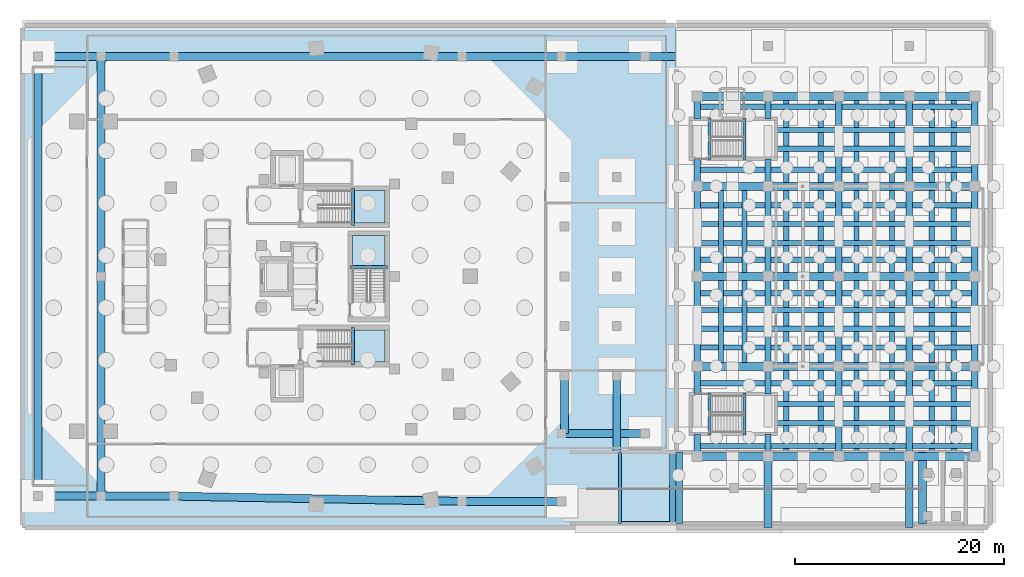
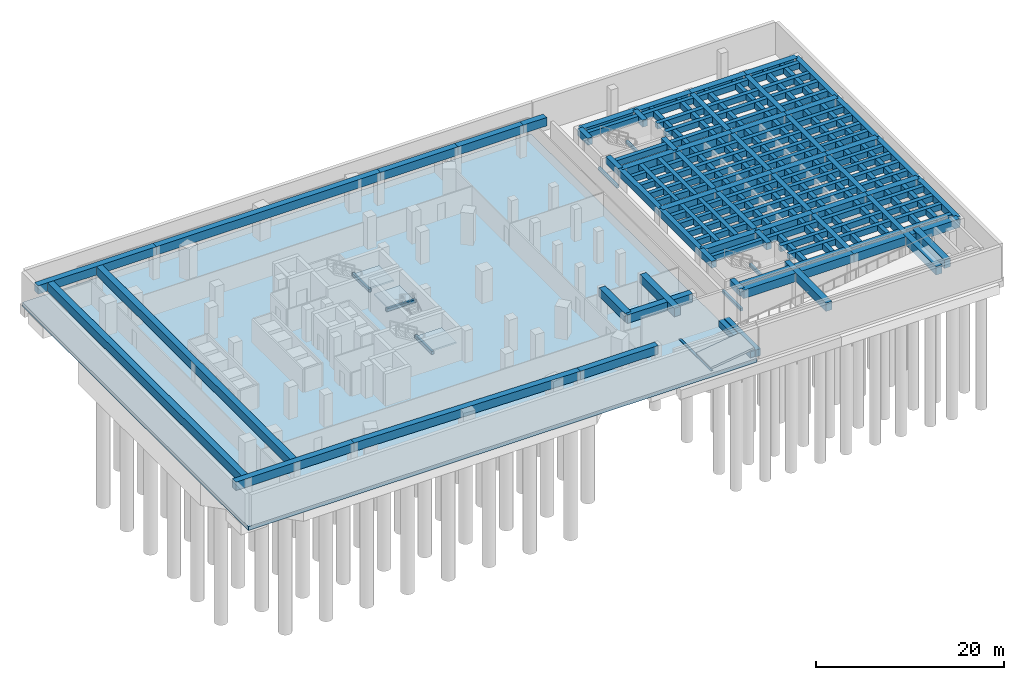
# One storey, part 6 of 15: 94 beams, 5 slabs, 3 elements without a shape of their own.
"""IFC4 building model written with IfcOpenShell, lengths in metres."""

from ifc_helpers import new_model, si_unit, direction, frame, origin, origin_2d, place, context, subcontext, project, spatial, polyline, rectangle, outline, extrude, material, layer, layer_set, material_profile, profile_set, type_object, element, aggregate, save


model = new_model("IFC4")

# Units and contexts
model_context = context("Model", 3, precision=1e-05, world=origin(), true_north=direction((0.0, 1.0)))
body_context = subcontext(model_context, "Body", "Model", "MODEL_VIEW")
ifc_project = project(units=[si_unit("LENGTHUNIT", "METRE"), si_unit("AREAUNIT", "SQUARE_METRE"), si_unit("VOLUMEUNIT", "CUBIC_METRE"), si_unit("PLANEANGLEUNIT", "RADIAN"), si_unit("MASSUNIT", "GRAM", prefix="KILO")], contexts=[model_context])

# Site, building, storey
site_placement = place(None, origin())
site = spatial("IfcSite", under=ifc_project, at=site_placement, CompositionType="ELEMENT")
building_placement = place(site_placement, origin())
building = spatial("IfcBuilding", under=site, at=building_placement, Name="Korentha Bioscience Tower", CompositionType="ELEMENT")
storey_placement = place(building_placement, frame((0.0, 0.0, -9.0)))
storey = spatial("IfcBuildingStorey", under=building, at=storey_placement, Name="B2", CompositionType="ELEMENT", Elevation=-9.0)

# Beams
ifc_material_1 = material(Name="Concrete C65", Category="concrete")
ifc_material_profile_1 = material_profile(ifc_material_1, rectangle(XDim=0.75, YDim=1.10009765625, at=origin_2d()), Name="Concrete C65")
ifc_profile_set_1 = profile_set([ifc_material_profile_1], Name="Concrete C65 (BB-750)")
beam_type_1 = type_object("IfcBeamType", Name="Basement Frame Girder RC 750x1100", PredefinedType="BEAM", material=ifc_profile_set_1)
beam_1_placement = place(storey_placement, frame((88.0, 3.39990234375, 3.800048828125), z_axis=(0.0, 1.0, 0.0), x_axis=(-1.0, 0.0, 0.0)))
element("IfcBeam", 1, at=beam_1_placement, inside=storey, type_object=beam_type_1, Name="B2 Ramp Half-Landing Support Girder", PredefinedType="BEAM", context=body_context, shape_type="SweptSolid", body=[
    extrude(rectangle(XDim=0.75, YDim=1.10009765625, at=origin_2d()), origin(), (0.0, 0.0, 1.0), 6.800048828125),
])
beam_2_placement = place(storey_placement, frame((2.0, 6.0, 3.632080078125), z_axis=(1.0, 0.0, 0.0), x_axis=(0.0, 1.0, 0.0)))
element("IfcBeam", 2, at=beam_2_placement, inside=storey, type_object=beam_type_1, Name="B2 Basement Girder BB-01", PredefinedType="BEAM", context=body_context, shape_type="SweptSolid", body=[
    extrude(rectangle(XDim=0.75, YDim=1.10009765625, at=origin_2d()), origin(), (0.0, 0.0, 1.0), 14.5),
])
beam_3_placement = place(storey_placement, frame((16.5, 6.0, 3.632080078125), z_axis=(0.999834751713, -0.018178813668, 0.0), x_axis=(0.018178813668, 0.999834751713, 0.0)))
element("IfcBeam", 3, at=beam_3_placement, inside=storey, type_object=beam_type_1, Name="B2 Basement Girder BB-02", PredefinedType="BEAM", context=body_context, shape_type="SweptSolid", body=[
    extrude(rectangle(XDim=0.75, YDim=1.10009765625, at=origin_2d()), origin(), (0.0, 0.0, 1.0), 27.504638671875),
])
beam_4_placement = place(storey_placement, frame((44.0, 5.5, 3.632080078125), z_axis=(1.0, 0.0, 0.0), x_axis=(0.0, 1.0, 0.0)))
element("IfcBeam", 4, at=beam_4_placement, inside=storey, type_object=beam_type_1, Name="B2 Basement Girder BB-03", PredefinedType="BEAM", context=body_context, shape_type="SweptSolid", body=[
    extrude(rectangle(XDim=0.75, YDim=1.10009765625, at=origin_2d()), origin(), (0.0, 0.0, 1.0), 9.5),
])
beam_5_placement = place(storey_placement, frame((2.0, 48.0, 3.632080078125), z_axis=(1.0, 0.0, 0.0), x_axis=(0.0, 1.0, 0.0)))
element("IfcBeam", 5, at=beam_5_placement, inside=storey, type_object=beam_type_1, Name="B2 Basement Girder BB-04", PredefinedType="BEAM", context=body_context, shape_type="SweptSolid", body=[
    extrude(rectangle(XDim=0.75, YDim=1.10009765625, at=origin_2d()), origin(), (0.0, 0.0, 1.0), 14.5),
])
beam_6_placement = place(storey_placement, frame((16.5, 48.0, 3.632080078125), z_axis=(1.0, 0.0, 0.0), x_axis=(0.0, 1.0, 0.0)))
element("IfcBeam", 6, at=beam_6_placement, inside=storey, type_object=beam_type_1, Name="B2 Basement Girder BB-05", PredefinedType="BEAM", context=body_context, shape_type="SweptSolid", body=[
    extrude(rectangle(XDim=0.75, YDim=1.10009765625, at=origin_2d()), origin(), (0.0, 0.0, 1.0), 27.5),
])
beam_7_placement = place(storey_placement, frame((44.0, 48.0, 3.632080078125), z_axis=(1.0, 0.0, 0.0), x_axis=(0.0, 1.0, 0.0)))
element("IfcBeam", 7, at=beam_7_placement, inside=storey, type_object=beam_type_1, Name="B2 Basement Girder BB-06", PredefinedType="BEAM", context=body_context, shape_type="SweptSolid", body=[
    extrude(rectangle(XDim=0.75, YDim=1.10009765625, at=origin_2d()), origin(), (0.0, 0.0, 1.0), 9.5),
])
beam_8_placement = place(storey_placement, frame((53.5, 48.0, 3.632080078125), z_axis=(1.0, 0.0, 0.0), x_axis=(0.0, 1.0, 0.0)))
element("IfcBeam", 8, at=beam_8_placement, inside=storey, type_object=beam_type_1, Name="B2 Basement Girder BB-07", PredefinedType="BEAM", context=body_context, shape_type="SweptSolid", body=[
    extrude(rectangle(XDim=0.75, YDim=1.10009765625, at=origin_2d()), origin(), (0.0, 0.0, 1.0), 8.0),
])
beam_9_placement = place(storey_placement, frame((61.5, 48.0, 3.632080078125), z_axis=(1.0, 0.0, 0.0), x_axis=(0.0, 1.0, 0.0)))
element("IfcBeam", 9, at=beam_9_placement, inside=storey, type_object=beam_type_1, Name="B2 Basement Girder BB-08", PredefinedType="BEAM", context=body_context, shape_type="SweptSolid", body=[
    extrude(rectangle(XDim=0.75, YDim=1.10009765625, at=origin_2d()), origin(), (0.0, 0.0, 1.0), 2.89990234375),
])
for number, where, z_axis, x_axis, name in (
    (10, (3.5, 6.0, 3.632080078125), (0.0, 1.0, 0.0), (-1.0, 0.0, 0.0), "B2 Basement Girder BB-09"),
    (11, (9.5, 6.0, 3.632080078125), (0.0, 1.0, 0.0), (-1.0, 0.0, 0.0), "B2 Basement Girder BB-10"),
):
    element("IfcBeam", number, at=place(storey_placement, frame(where, z_axis=z_axis, x_axis=x_axis)), inside=storey, type_object=beam_type_1, Name=name, PredefinedType="BEAM", context=body_context, shape_type="SweptSolid", body=[
        extrude(rectangle(XDim=0.75, YDim=1.10009765625, at=origin_2d()), origin(), (0.0, 0.0, 1.0), 42.0),
    ])
beam_10_placement = place(storey_placement, frame((53.5, 12.0, 3.632080078125), z_axis=(1.0, 0.0, 0.0), x_axis=(0.0, 1.0, 0.0)))
element("IfcBeam", 12, at=beam_10_placement, inside=storey, type_object=beam_type_1, Name="B2 Basement Girder BB-11", PredefinedType="BEAM", context=body_context, shape_type="SweptSolid", body=[
    extrude(rectangle(XDim=0.75, YDim=1.10009765625, at=origin_2d()), origin(), (0.0, 0.0, 1.0), 8.0),
])
beam_11_placement = place(storey_placement, frame((53.800048828125, 12.0, 3.632080078125), z_axis=(0.0, 1.0, 0.0), x_axis=(-1.0, 0.0, 0.0)))
element("IfcBeam", 13, at=beam_11_placement, inside=storey, type_object=beam_type_1, Name="B2 Basement Girder BB-12", PredefinedType="BEAM", context=body_context, shape_type="SweptSolid", body=[
    extrude(rectangle(XDim=0.75, YDim=1.10009765625, at=origin_2d()), origin(), (0.0, 0.0, 1.0), 5.5),
])
beam_12_placement = place(storey_placement, frame((58.800048828125, 10.199951171875, 3.632080078125), z_axis=(0.0, 1.0, 0.0), x_axis=(-1.0, 0.0, 0.0)))
element("IfcBeam", 14, at=beam_12_placement, inside=storey, type_object=beam_type_1, Name="B2 Basement Girder BB-13", PredefinedType="BEAM", context=body_context, shape_type="SweptSolid", body=[
    extrude(rectangle(XDim=0.75, YDim=1.10009765625, at=origin_2d()), origin(), (0.0, 0.0, 1.0), 7.300048828125),
])
for number, where, z_axis, x_axis, name in (
    (15, (73.25, 3.0, 3.632080078125), (0.0, 1.0, 0.0), (-1.0, 0.0, 0.0), "B2 Basement Girder BB-14"),
    (16, (86.75, 3.0, 3.632080078125), (0.0, 1.0, 0.0), (-1.0, 0.0, 0.0), "B2 Basement Girder BB-15"),
):
    element("IfcBeam", number, at=place(storey_placement, frame(where, z_axis=z_axis, x_axis=x_axis)), inside=storey, type_object=beam_type_1, Name=name, PredefinedType="BEAM", context=body_context, shape_type="SweptSolid", body=[
        extrude(rectangle(XDim=0.75, YDim=1.10009765625, at=origin_2d()), origin(), (0.0, 0.0, 1.0), 7.199951171875),
    ])
for number, where, z_axis, x_axis, name in (
    (17, (66.5, 9.800048828125, 3.6298828125), (1.0, 0.0, 0.0), (0.0, 1.0, 0.0), "B2 Theatre Basement Girder X-1-1"),
    (18, (66.5, 18.39990234375, 3.6298828125), (1.0, 0.0, 0.0), (0.0, 1.0, 0.0), "B2 Theatre Basement Girder X-1-2"),
    (19, (66.5, 27.0, 3.6298828125), (1.0, 0.0, 0.0), (0.0, 1.0, 0.0), "B2 Theatre Basement Girder X-1-3"),
    (20, (66.5, 35.60009765625, 3.6298828125), (1.0, 0.0, 0.0), (0.0, 1.0, 0.0), "B2 Theatre Basement Girder X-1-4"),
    (21, (66.5, 44.199951171875, 3.6298828125), (1.0, 0.0, 0.0), (0.0, 1.0, 0.0), "B2 Theatre Basement Girder X-1-5"),
    (22, (73.25, 9.800048828125, 3.6298828125), (1.0, 0.0, 0.0), (0.0, 1.0, 0.0), "B2 Theatre Basement Girder X-2-1"),
    (23, (73.25, 18.39990234375, 3.6298828125), (1.0, 0.0, 0.0), (0.0, 1.0, 0.0), "B2 Theatre Basement Girder X-2-2"),
    (24, (73.25, 27.0, 3.6298828125), (1.0, 0.0, 0.0), (0.0, 1.0, 0.0), "B2 Theatre Basement Girder X-2-3"),
    (25, (73.25, 35.60009765625, 3.6298828125), (1.0, 0.0, 0.0), (0.0, 1.0, 0.0), "B2 Theatre Basement Girder X-2-4"),
    (26, (73.25, 44.199951171875, 3.6298828125), (1.0, 0.0, 0.0), (0.0, 1.0, 0.0), "B2 Theatre Basement Girder X-2-5"),
    (27, (80.0, 9.800048828125, 3.6298828125), (1.0, 0.0, 0.0), (0.0, 1.0, 0.0), "B2 Theatre Basement Girder X-3-1"),
    (28, (80.0, 18.39990234375, 3.6298828125), (1.0, 0.0, 0.0), (0.0, 1.0, 0.0), "B2 Theatre Basement Girder X-3-2"),
    (29, (80.0, 27.0, 3.6298828125), (1.0, 0.0, 0.0), (0.0, 1.0, 0.0), "B2 Theatre Basement Girder X-3-3"),
    (30, (80.0, 35.60009765625, 3.6298828125), (1.0, 0.0, 0.0), (0.0, 1.0, 0.0), "B2 Theatre Basement Girder X-3-4"),
    (31, (80.0, 44.199951171875, 3.6298828125), (1.0, 0.0, 0.0), (0.0, 1.0, 0.0), "B2 Theatre Basement Girder X-3-5"),
):
    element("IfcBeam", number, at=place(storey_placement, frame(where, z_axis=z_axis, x_axis=x_axis)), inside=storey, type_object=beam_type_1, Name=name, PredefinedType="BEAM", context=body_context, shape_type="SweptSolid", body=[
        extrude(rectangle(XDim=0.75, YDim=1.10009765625, at=origin_2d()), origin(), (0.0, 0.0, 1.0), 6.75),
    ])
for number, where, z_axis, x_axis, name in (
    (32, (86.75, 9.800048828125, 3.6298828125), (1.0, 0.0, 0.0), (0.0, 1.0, 0.0), "B2 Theatre Basement Girder X-4-1"),
    (33, (86.75, 18.39990234375, 3.6298828125), (1.0, 0.0, 0.0), (0.0, 1.0, 0.0), "B2 Theatre Basement Girder X-4-2"),
    (34, (86.75, 27.0, 3.6298828125), (1.0, 0.0, 0.0), (0.0, 1.0, 0.0), "B2 Theatre Basement Girder X-4-3"),
    (35, (86.75, 35.60009765625, 3.6298828125), (1.0, 0.0, 0.0), (0.0, 1.0, 0.0), "B2 Theatre Basement Girder X-4-4"),
    (36, (86.75, 44.199951171875, 3.6298828125), (1.0, 0.0, 0.0), (0.0, 1.0, 0.0), "B2 Theatre Basement Girder X-4-5"),
):
    element("IfcBeam", number, at=place(storey_placement, frame(where, z_axis=z_axis, x_axis=x_axis)), inside=storey, type_object=beam_type_1, Name=name, PredefinedType="BEAM", context=body_context, shape_type="SweptSolid", body=[
        extrude(rectangle(XDim=0.75, YDim=1.10009765625, at=origin_2d()), origin(), (0.0, 0.0, 1.0), 6.25),
    ])
ifc_material_2 = material(Name="Concrete C50", Category="concrete")
ifc_material_profile_2 = material_profile(ifc_material_2, rectangle(XDim=0.5, YDim=0.75, at=origin_2d()), Name="Concrete C50")
ifc_profile_set_2 = profile_set([ifc_material_profile_2], Name="Concrete C50 (BB-500)")
beam_type_2 = type_object("IfcBeamType", Name="Basement Secondary Rib RC 500x750", PredefinedType="BEAM", material=ifc_profile_set_2)
beam_13_placement = place(storey_placement, frame((66.5, 10.800048828125, 3.804931640625), z_axis=(1.0, 0.0, 0.0), x_axis=(0.0, 1.0, 0.0)))
element("IfcBeam", 37, at=beam_13_placement, inside=storey, type_object=beam_type_2, Name="B2 Theatre Substructure Rib 01", PredefinedType="BEAM", context=body_context, shape_type="SweptSolid", body=[
    extrude(rectangle(XDim=0.5, YDim=0.75, at=origin_2d()), origin(), (0.0, 0.0, 1.0), 26.5),
])
for number, where, z_axis, x_axis, name in (
    (38, (74.010009765625, 13.0, 3.804931640625), (1.0, 0.0, 0.0), (0.0, 1.0, 0.0), "B2 Theatre Substructure Rib 02"),
    (39, (74.010009765625, 14.800048828125, 3.804931640625), (1.0, 0.0, 0.0), (0.0, 1.0, 0.0), "B2 Theatre Substructure Rib 03"),
):
    element("IfcBeam", number, at=place(storey_placement, frame(where, z_axis=z_axis, x_axis=x_axis)), inside=storey, type_object=beam_type_2, Name=name, PredefinedType="BEAM", context=body_context, shape_type="SweptSolid", body=[
        extrude(rectangle(XDim=0.5, YDim=0.75, at=origin_2d()), origin(), (0.0, 0.0, 1.0), 18.989990234375),
    ])
for number, where, z_axis, x_axis, name in (
    (40, (66.5, 16.800048828125, 3.804931640625), (1.0, 0.0, 0.0), (0.0, 1.0, 0.0), "B2 Theatre Substructure Rib 04"),
    (41, (66.5, 20.199951171875, 3.804931640625), (1.0, 0.0, 0.0), (0.0, 1.0, 0.0), "B2 Theatre Substructure Rib 05"),
    (42, (66.5, 22.0, 3.804931640625), (1.0, 0.0, 0.0), (0.0, 1.0, 0.0), "B2 Theatre Substructure Rib 06"),
    (43, (66.5, 23.800048828125, 3.804931640625), (1.0, 0.0, 0.0), (0.0, 1.0, 0.0), "B2 Theatre Substructure Rib 07"),
    (44, (66.5, 25.39990234375, 3.804931640625), (1.0, 0.0, 0.0), (0.0, 1.0, 0.0), "B2 Theatre Substructure Rib 08"),
    (45, (66.5, 28.60009765625, 3.804931640625), (1.0, 0.0, 0.0), (0.0, 1.0, 0.0), "B2 Theatre Substructure Rib 09"),
    (46, (66.5, 30.199951171875, 3.804931640625), (1.0, 0.0, 0.0), (0.0, 1.0, 0.0), "B2 Theatre Substructure Rib 10"),
    (47, (66.5, 32.0, 3.804931640625), (1.0, 0.0, 0.0), (0.0, 1.0, 0.0), "B2 Theatre Substructure Rib 11"),
    (48, (66.5, 33.800048828125, 3.804931640625), (1.0, 0.0, 0.0), (0.0, 1.0, 0.0), "B2 Theatre Substructure Rib 12"),
    (49, (66.5, 37.199951171875, 3.804931640625), (1.0, 0.0, 0.0), (0.0, 1.0, 0.0), "B2 Theatre Substructure Rib 13"),
):
    element("IfcBeam", number, at=place(storey_placement, frame(where, z_axis=z_axis, x_axis=x_axis)), inside=storey, type_object=beam_type_2, Name=name, PredefinedType="BEAM", context=body_context, shape_type="SweptSolid", body=[
        extrude(rectangle(XDim=0.5, YDim=0.75, at=origin_2d()), origin(), (0.0, 0.0, 1.0), 26.5),
    ])
for number, where, z_axis, x_axis, name in (
    (50, (74.010009765625, 39.199951171875, 3.804931640625), (1.0, 0.0, 0.0), (0.0, 1.0, 0.0), "B2 Theatre Substructure Rib 14"),
    (51, (74.010009765625, 41.0, 3.804931640625), (1.0, 0.0, 0.0), (0.0, 1.0, 0.0), "B2 Theatre Substructure Rib 15"),
):
    element("IfcBeam", number, at=place(storey_placement, frame(where, z_axis=z_axis, x_axis=x_axis)), inside=storey, type_object=beam_type_2, Name=name, PredefinedType="BEAM", context=body_context, shape_type="SweptSolid", body=[
        extrude(rectangle(XDim=0.5, YDim=0.75, at=origin_2d()), origin(), (0.0, 0.0, 1.0), 18.989990234375),
    ])
beam_14_placement = place(storey_placement, frame((66.5, 43.199951171875, 3.804931640625), z_axis=(1.0, 0.0, 0.0), x_axis=(0.0, 1.0, 0.0)))
element("IfcBeam", 52, at=beam_14_placement, inside=storey, type_object=beam_type_2, Name="B2 Theatre Substructure Rib 16", PredefinedType="BEAM", context=body_context, shape_type="SweptSolid", body=[
    extrude(rectangle(XDim=0.5, YDim=0.75, at=origin_2d()), origin(), (0.0, 0.0, 1.0), 26.5),
])
for number, where, z_axis, x_axis, name in (
    (53, (68.75, 18.39990234375, 3.804931640625), (0.0, 1.0, 0.0), (-1.0, 0.0, 0.0), "B2 Theatre Substructure Longitudinal Rib 01"),
    (54, (71.0, 18.39990234375, 3.804931640625), (0.0, 1.0, 0.0), (-1.0, 0.0, 0.0), "B2 Theatre Substructure Longitudinal Rib 02"),
):
    element("IfcBeam", number, at=place(storey_placement, frame(where, z_axis=z_axis, x_axis=x_axis)), inside=storey, type_object=beam_type_2, Name=name, PredefinedType="BEAM", context=body_context, shape_type="SweptSolid", body=[
        extrude(rectangle(XDim=0.5, YDim=0.75, at=origin_2d()), origin(), (0.0, 0.0, 1.0), 17.2001953125),
    ])
for number, where, z_axis, x_axis, name in (
    (55, (75.0, 9.800048828125, 3.804931640625), (0.0, 1.0, 0.0), (-1.0, 0.0, 0.0), "B2 Theatre Substructure Longitudinal Rib 03"),
    (56, (78.300048828125, 9.800048828125, 3.804931640625), (0.0, 1.0, 0.0), (-1.0, 0.0, 0.0), "B2 Theatre Substructure Longitudinal Rib 04"),
    (57, (81.699951171875, 9.800048828125, 3.804931640625), (0.0, 1.0, 0.0), (-1.0, 0.0, 0.0), "B2 Theatre Substructure Longitudinal Rib 05"),
    (58, (85.10009765625, 9.800048828125, 3.804931640625), (0.0, 1.0, 0.0), (-1.0, 0.0, 0.0), "B2 Theatre Substructure Longitudinal Rib 06"),
    (59, (88.89990234375, 9.800048828125, 3.804931640625), (0.0, 1.0, 0.0), (-1.0, 0.0, 0.0), "B2 Theatre Substructure Longitudinal Rib 07"),
    (60, (91.0, 9.800048828125, 3.804931640625), (0.0, 1.0, 0.0), (-1.0, 0.0, 0.0), "B2 Theatre Substructure Longitudinal Rib 08"),
):
    element("IfcBeam", number, at=place(storey_placement, frame(where, z_axis=z_axis, x_axis=x_axis)), inside=storey, type_object=beam_type_2, Name=name, PredefinedType="BEAM", context=body_context, shape_type="SweptSolid", body=[
        extrude(rectangle(XDim=0.5, YDim=0.75, at=origin_2d()), origin(), (0.0, 0.0, 1.0), 34.39990234375),
    ])
ifc_material_profile_3 = material_profile(ifc_material_2, rectangle(XDim=0.60009765625, YDim=0.89990234375, at=origin_2d()), Name="Concrete C50")
ifc_profile_set_3 = profile_set([ifc_material_profile_3], Name="Concrete C50 (BB-600)")
beam_type_3 = type_object("IfcBeamType", Name="Basement Tie Beam RC 600x900", PredefinedType="BEAM", material=ifc_profile_set_3)
for number, where, z_axis, x_axis, name in (
    (61, (64.1201171875, 3.39990234375, 0.320068359375), (0.0, 1.0, 0.0), (-1.0, 0.0, 0.0), "B2 Ramp Joint West Support Beam"),
    (62, (64.800048828125, 3.39990234375, 0.330078125), (0.0, 1.0, 0.0), (-1.0, 0.0, 0.0), "B2 Ramp Joint East Support Beam"),
):
    element("IfcBeam", number, at=place(storey_placement, frame(where, z_axis=z_axis, x_axis=x_axis)), inside=storey, type_object=beam_type_3, Name=name, PredefinedType="BEAM", context=body_context, shape_type="SweptSolid", body=[
        extrude(rectangle(XDim=0.60009765625, YDim=0.89990234375, at=origin_2d()), origin(), (0.0, 0.0, 1.0), 6.800048828125),
    ])
beam_15_placement = place(storey_placement, frame((66.5, 9.800048828125, 3.72998046875), z_axis=(0.0, 1.0, 0.0), x_axis=(-1.0, 0.0, 0.0)))
element("IfcBeam", 63, at=beam_15_placement, inside=storey, type_object=beam_type_3, Name="B2 Theatre Basement Tie Beam Y-1-1A", PredefinedType="BEAM", context=body_context, shape_type="SweptSolid", body=[
    extrude(rectangle(XDim=0.60009765625, YDim=0.89990234375, at=origin_2d()), origin(), (0.0, 0.0, 1.0), 2.139892578125),
])
beam_16_placement = place(storey_placement, frame((66.5, 15.760009765625, 3.72998046875), z_axis=(0.0, 1.0, 0.0), x_axis=(-1.0, 0.0, 0.0)))
element("IfcBeam", 64, at=beam_16_placement, inside=storey, type_object=beam_type_3, Name="B2 Theatre Basement Tie Beam Y-1-1B", PredefinedType="BEAM", context=body_context, shape_type="SweptSolid", body=[
    extrude(rectangle(XDim=0.60009765625, YDim=0.89990234375, at=origin_2d()), origin(), (0.0, 0.0, 1.0), 2.639892578125),
])
for number, where, z_axis, x_axis, name in (
    (65, (66.5, 18.39990234375, 3.72998046875), (0.0, 1.0, 0.0), (-1.0, 0.0, 0.0), "B2 Theatre Basement Tie Beam Y-1-2"),
    (66, (66.5, 27.0, 3.72998046875), (0.0, 1.0, 0.0), (-1.0, 0.0, 0.0), "B2 Theatre Basement Tie Beam Y-1-3"),
):
    element("IfcBeam", number, at=place(storey_placement, frame(where, z_axis=z_axis, x_axis=x_axis)), inside=storey, type_object=beam_type_3, Name=name, PredefinedType="BEAM", context=body_context, shape_type="SweptSolid", body=[
        extrude(rectangle(XDim=0.60009765625, YDim=0.89990234375, at=origin_2d()), origin(), (0.0, 0.0, 1.0), 8.60009765625),
    ])
beam_17_placement = place(storey_placement, frame((66.5, 35.60009765625, 3.72998046875), z_axis=(0.0, 1.0, 0.0), x_axis=(-1.0, 0.0, 0.0)))
element("IfcBeam", 67, at=beam_17_placement, inside=storey, type_object=beam_type_3, Name="B2 Theatre Basement Tie Beam Y-1-4A", PredefinedType="BEAM", context=body_context, shape_type="SweptSolid", body=[
    extrude(rectangle(XDim=0.60009765625, YDim=0.89990234375, at=origin_2d()), origin(), (0.0, 0.0, 1.0), 2.639892578125),
])
for number, where, z_axis, x_axis, name in (
    (68, (66.5, 42.06005859375, 3.72998046875), (0.0, 1.0, 0.0), (-1.0, 0.0, 0.0), "B2 Theatre Basement Tie Beam Y-1-4B"),
    (69, (73.25, 9.800048828125, 3.72998046875), (0.0, 1.0, 0.0), (-1.0, 0.0, 0.0), "B2 Theatre Basement Tie Beam Y-2-1A"),
):
    element("IfcBeam", number, at=place(storey_placement, frame(where, z_axis=z_axis, x_axis=x_axis)), inside=storey, type_object=beam_type_3, Name=name, PredefinedType="BEAM", context=body_context, shape_type="SweptSolid", body=[
        extrude(rectangle(XDim=0.60009765625, YDim=0.89990234375, at=origin_2d()), origin(), (0.0, 0.0, 1.0), 2.139892578125),
    ])
beam_18_placement = place(storey_placement, frame((73.25, 15.760009765625, 3.72998046875), z_axis=(0.0, 1.0, 0.0), x_axis=(-1.0, 0.0, 0.0)))
element("IfcBeam", 70, at=beam_18_placement, inside=storey, type_object=beam_type_3, Name="B2 Theatre Basement Tie Beam Y-2-1B", PredefinedType="BEAM", context=body_context, shape_type="SweptSolid", body=[
    extrude(rectangle(XDim=0.60009765625, YDim=0.89990234375, at=origin_2d()), origin(), (0.0, 0.0, 1.0), 2.639892578125),
])
for number, where, z_axis, x_axis, name in (
    (71, (73.25, 18.39990234375, 3.72998046875), (0.0, 1.0, 0.0), (-1.0, 0.0, 0.0), "B2 Theatre Basement Tie Beam Y-2-2"),
    (72, (73.25, 27.0, 3.72998046875), (0.0, 1.0, 0.0), (-1.0, 0.0, 0.0), "B2 Theatre Basement Tie Beam Y-2-3"),
):
    element("IfcBeam", number, at=place(storey_placement, frame(where, z_axis=z_axis, x_axis=x_axis)), inside=storey, type_object=beam_type_3, Name=name, PredefinedType="BEAM", context=body_context, shape_type="SweptSolid", body=[
        extrude(rectangle(XDim=0.60009765625, YDim=0.89990234375, at=origin_2d()), origin(), (0.0, 0.0, 1.0), 8.60009765625),
    ])
beam_19_placement = place(storey_placement, frame((73.25, 35.60009765625, 3.72998046875), z_axis=(0.0, 1.0, 0.0), x_axis=(-1.0, 0.0, 0.0)))
element("IfcBeam", 73, at=beam_19_placement, inside=storey, type_object=beam_type_3, Name="B2 Theatre Basement Tie Beam Y-2-4A", PredefinedType="BEAM", context=body_context, shape_type="SweptSolid", body=[
    extrude(rectangle(XDim=0.60009765625, YDim=0.89990234375, at=origin_2d()), origin(), (0.0, 0.0, 1.0), 2.639892578125),
])
beam_20_placement = place(storey_placement, frame((73.25, 42.06005859375, 3.72998046875), z_axis=(0.0, 1.0, 0.0), x_axis=(-1.0, 0.0, 0.0)))
element("IfcBeam", 74, at=beam_20_placement, inside=storey, type_object=beam_type_3, Name="B2 Theatre Basement Tie Beam Y-2-4B", PredefinedType="BEAM", context=body_context, shape_type="SweptSolid", body=[
    extrude(rectangle(XDim=0.60009765625, YDim=0.89990234375, at=origin_2d()), origin(), (0.0, 0.0, 1.0), 2.139892578125),
])
beam_21_placement = place(storey_placement, frame((80.0, 9.800048828125, 3.72998046875), z_axis=(0.0, 1.0, 0.0), x_axis=(-1.0, 0.0, 0.0)))
element("IfcBeam", 75, at=beam_21_placement, inside=storey, type_object=beam_type_3, Name="B2 Theatre Basement Tie Beam Y-3-1", PredefinedType="BEAM", context=body_context, shape_type="SweptSolid", body=[
    extrude(rectangle(XDim=0.60009765625, YDim=0.89990234375, at=origin_2d()), origin(), (0.0, 0.0, 1.0), 8.599853515625),
])
for number, where, z_axis, x_axis, name in (
    (76, (80.0, 18.39990234375, 3.72998046875), (0.0, 1.0, 0.0), (-1.0, 0.0, 0.0), "B2 Theatre Basement Tie Beam Y-3-2"),
    (77, (80.0, 27.0, 3.72998046875), (0.0, 1.0, 0.0), (-1.0, 0.0, 0.0), "B2 Theatre Basement Tie Beam Y-3-3"),
):
    element("IfcBeam", number, at=place(storey_placement, frame(where, z_axis=z_axis, x_axis=x_axis)), inside=storey, type_object=beam_type_3, Name=name, PredefinedType="BEAM", context=body_context, shape_type="SweptSolid", body=[
        extrude(rectangle(XDim=0.60009765625, YDim=0.89990234375, at=origin_2d()), origin(), (0.0, 0.0, 1.0), 8.60009765625),
    ])
for number, where, z_axis, x_axis, name in (
    (78, (80.0, 35.60009765625, 3.72998046875), (0.0, 1.0, 0.0), (-1.0, 0.0, 0.0), "B2 Theatre Basement Tie Beam Y-3-4"),
    (79, (86.75, 9.800048828125, 3.72998046875), (0.0, 1.0, 0.0), (-1.0, 0.0, 0.0), "B2 Theatre Basement Tie Beam Y-4-1"),
):
    element("IfcBeam", number, at=place(storey_placement, frame(where, z_axis=z_axis, x_axis=x_axis)), inside=storey, type_object=beam_type_3, Name=name, PredefinedType="BEAM", context=body_context, shape_type="SweptSolid", body=[
        extrude(rectangle(XDim=0.60009765625, YDim=0.89990234375, at=origin_2d()), origin(), (0.0, 0.0, 1.0), 8.599853515625),
    ])
for number, where, z_axis, x_axis, name in (
    (80, (86.75, 18.39990234375, 3.72998046875), (0.0, 1.0, 0.0), (-1.0, 0.0, 0.0), "B2 Theatre Basement Tie Beam Y-4-2"),
    (81, (86.75, 27.0, 3.72998046875), (0.0, 1.0, 0.0), (-1.0, 0.0, 0.0), "B2 Theatre Basement Tie Beam Y-4-3"),
):
    element("IfcBeam", number, at=place(storey_placement, frame(where, z_axis=z_axis, x_axis=x_axis)), inside=storey, type_object=beam_type_3, Name=name, PredefinedType="BEAM", context=body_context, shape_type="SweptSolid", body=[
        extrude(rectangle(XDim=0.60009765625, YDim=0.89990234375, at=origin_2d()), origin(), (0.0, 0.0, 1.0), 8.60009765625),
    ])
for number, where, z_axis, x_axis, name in (
    (82, (86.75, 35.60009765625, 3.72998046875), (0.0, 1.0, 0.0), (-1.0, 0.0, 0.0), "B2 Theatre Basement Tie Beam Y-4-4"),
    (83, (93.0, 9.800048828125, 3.72998046875), (0.0, 1.0, 0.0), (-1.0, 0.0, 0.0), "B2 Theatre Basement Tie Beam Y-5-1"),
):
    element("IfcBeam", number, at=place(storey_placement, frame(where, z_axis=z_axis, x_axis=x_axis)), inside=storey, type_object=beam_type_3, Name=name, PredefinedType="BEAM", context=body_context, shape_type="SweptSolid", body=[
        extrude(rectangle(XDim=0.60009765625, YDim=0.89990234375, at=origin_2d()), origin(), (0.0, 0.0, 1.0), 8.599853515625),
    ])
for number, where, z_axis, x_axis, name in (
    (84, (93.0, 18.39990234375, 3.72998046875), (0.0, 1.0, 0.0), (-1.0, 0.0, 0.0), "B2 Theatre Basement Tie Beam Y-5-2"),
    (85, (93.0, 27.0, 3.72998046875), (0.0, 1.0, 0.0), (-1.0, 0.0, 0.0), "B2 Theatre Basement Tie Beam Y-5-3"),
):
    element("IfcBeam", number, at=place(storey_placement, frame(where, z_axis=z_axis, x_axis=x_axis)), inside=storey, type_object=beam_type_3, Name=name, PredefinedType="BEAM", context=body_context, shape_type="SweptSolid", body=[
        extrude(rectangle(XDim=0.60009765625, YDim=0.89990234375, at=origin_2d()), origin(), (0.0, 0.0, 1.0), 8.60009765625),
    ])
beam_22_placement = place(storey_placement, frame((93.0, 35.60009765625, 3.72998046875), z_axis=(0.0, 1.0, 0.0), x_axis=(-1.0, 0.0, 0.0)))
element("IfcBeam", 86, at=beam_22_placement, inside=storey, type_object=beam_type_3, Name="B2 Theatre Basement Tie Beam Y-5-4", PredefinedType="BEAM", context=body_context, shape_type="SweptSolid", body=[
    extrude(rectangle(XDim=0.60009765625, YDim=0.89990234375, at=origin_2d()), origin(), (0.0, 0.0, 1.0), 8.599853515625),
])
ifc_material_profile_4 = material_profile(ifc_material_2, rectangle(XDim=0.280029296875, YDim=0.3798828125, at=origin_2d()), Name="Concrete C50")
ifc_profile_set_4 = profile_set([ifc_material_profile_4], Name="Concrete C50 (ST-HB380)")
beam_type_4 = type_object("IfcBeamType", Name="Concrete Stair Header Beam RC 280x380", PredefinedType="BEAM", material=ifc_profile_set_4)
beam_23_placement = place(storey_placement, frame((59.10009765625, 3.39990234375, -0.14990234375), z_axis=(0.0, 1.0, 0.0), x_axis=(-1.0, 0.0, 0.0)))
element("IfcBeam", 87, at=beam_23_placement, inside=storey, type_object=beam_type_4, Name="B2 Ramp Foot Support Beam", PredefinedType="BEAM", context=body_context, shape_type="SweptSolid", body=[
    extrude(rectangle(XDim=0.280029296875, YDim=0.3798828125, at=origin_2d()), origin(), (0.0, 0.0, 1.0), 6.800048828125),
])
for number, where, z_axis, x_axis, name in (
    (88, (33.610107421875, 31.85009765625, 2.06005859375), (0.0, 1.0, 0.0), (-1.0, 0.0, 0.0), "B2 ST-1 Half-Landing Header Beam 1"),
    (89, (33.610107421875, 18.550048828125, 2.06005859375), (0.0, 1.0, 0.0), (-1.0, 0.0, 0.0), "B2 ST-2 Half-Landing Header Beam 1"),
    (90, (36.89990234375, 27.909912109375, 2.06005859375), (-1.0, 0.0, 0.0), (0.0, -1.0, 0.0), "B2 ST-3 Half-Landing Header Beam 1"),
):
    element("IfcBeam", number, at=place(storey_placement, frame(where, z_axis=z_axis, x_axis=x_axis)), inside=storey, type_object=beam_type_4, Name=name, PredefinedType="BEAM", context=body_context, shape_type="SweptSolid", body=[
        extrude(rectangle(XDim=0.280029296875, YDim=0.3798828125, at=origin_2d()), origin(), (0.0, 0.0, 1.0), 3.599853515625),
    ])
for number, where, z_axis, x_axis, name in (
    (91, (67.64990234375, 11.85009765625, -0.18994140625), (0.0, 1.0, 0.0), (-1.0, 0.0, 0.0), "B2 ST-T1 Foundation Stair Header Beam"),
    (92, (71.010009765625, 11.85009765625, 2.06005859375), (0.0, 1.0, 0.0), (-1.0, 0.0, 0.0), "B2 ST-T1 Half-Landing Header Beam 1"),
    (93, (67.64990234375, 38.14990234375, -0.18994140625), (0.0, 1.0, 0.0), (-1.0, 0.0, 0.0), "B2 ST-T2 Foundation Stair Header Beam"),
    (94, (71.010009765625, 38.14990234375, 2.06005859375), (0.0, 1.0, 0.0), (-1.0, 0.0, 0.0), "B2 ST-T2 Half-Landing Header Beam 1"),
):
    element("IfcBeam", number, at=place(storey_placement, frame(where, z_axis=z_axis, x_axis=x_axis)), inside=storey, type_object=beam_type_4, Name=name, PredefinedType="BEAM", context=body_context, shape_type="SweptSolid", body=[
        extrude(rectangle(XDim=0.280029296875, YDim=0.3798828125, at=origin_2d()), origin(), (0.0, 0.0, 1.0), 4.0),
    ])

# Slab
ifc_layer_1 = layer(ifc_material_2, 0.5, Name="Concrete C50")
ifc_layer_set_1 = layer_set([ifc_layer_1], Name="Concrete C50 (SL-B2)")
slab_type_1 = type_object("IfcSlabType", Name="Basement Mat Base Slab 300", PredefinedType="BASESLAB", material=ifc_layer_set_1)
slab_1_placement = place(storey_placement, frame((0.0, 0.0, -0.5)))
element("IfcSlab", 95, at=slab_1_placement, inside=storey, type_object=slab_type_1, Name="B2 Tower Mat Base Slab", PredefinedType="BASESLAB", context=body_context, shape_type="SweptSolid", body=[
    extrude(outline(polyline([(2.0, 3.0), (64.419921875, 3.0), (64.419921875, 51.0), (2.0, 51.0), (2.0, 3.0)])), origin(), (0.0, 0.0, 1.0), 0.5),
])

# Stair, slab
ifc_material_3 = material(Name="Precast Concrete C50", Category="concrete")
stair_type = type_object("IfcStairType", Name="Core Exit Dog-Leg Stair 1450", PredefinedType="HALF_TURN_STAIR", material=ifc_material_3)
stair_1_placement = place(storey_placement, origin())
stair_1 = element("IfcStair", 96, at=stair_1_placement, inside=storey, type_object=stair_type, Name="B2 Tower North Pressurized Exit Stair ST-1", PredefinedType="HALF_TURN_STAIR")
ifc_layer_2 = layer(ifc_material_2, 0.199951171875, Name="Concrete C50")
ifc_layer_set_2 = layer_set([ifc_layer_2], Name="Concrete C50 (SL-LND)")
slab_type_2 = type_object("IfcSlabType", Name="Landing Slab 200", PredefinedType="LANDING", material=ifc_layer_set_2)
slab_2_placement = place(storey_placement, frame((0.0, 0.0, 2.050048828125)))
slab_2 = element("IfcSlab", 97, at=slab_2_placement, type_object=slab_type_2, Name="ST-1 landing 1", PredefinedType="LANDING", context=body_context, shape_type="SweptSolid", body=[
    extrude(outline(polyline([(33.610107421875, 32.10009765625), (36.64990234375, 32.10009765625), (36.64990234375, 35.199951171875), (33.610107421875, 35.199951171875), (33.610107421875, 32.10009765625)])), origin(), (0.0, 0.0, 1.0), 0.199951171875),
])
aggregate(stair_1, [slab_2])

stair_2_placement = place(storey_placement, origin())
stair_2 = element("IfcStair", 98, at=stair_2_placement, inside=storey, type_object=stair_type, Name="B2 Tower South Pressurized Exit Stair ST-2", PredefinedType="HALF_TURN_STAIR")
slab_3_placement = place(storey_placement, frame((0.0, 0.0, 2.050048828125)))
slab_3 = element("IfcSlab", 99, at=slab_3_placement, type_object=slab_type_2, Name="ST-2 landing 1", PredefinedType="LANDING", context=body_context, shape_type="SweptSolid", body=[
    extrude(outline(polyline([(33.610107421875, 18.800048828125), (36.64990234375, 18.800048828125), (36.64990234375, 21.89990234375), (33.610107421875, 21.89990234375), (33.610107421875, 18.800048828125)])), origin(), (0.0, 0.0, 1.0), 0.199951171875),
])
aggregate(stair_2, [slab_3])

stair_3_placement = place(storey_placement, origin())
stair_3 = element("IfcStair", 100, at=stair_3_placement, inside=storey, type_object=stair_type, Name="B2 Tower Central Pressurized Exit Stair ST-3", PredefinedType="HALF_TURN_STAIR")
slab_4_placement = place(storey_placement, frame((0.0, 0.0, 2.050048828125)))
slab_4 = element("IfcSlab", 101, at=slab_4_placement, type_object=slab_type_2, Name="ST-3 landing 1", PredefinedType="LANDING", context=body_context, shape_type="SweptSolid", body=[
    extrude(outline(polyline([(36.64990234375, 27.909912109375), (36.64990234375, 30.89990234375), (33.550048828125, 30.89990234375), (33.550048828125, 27.909912109375), (36.64990234375, 27.909912109375)])), origin(), (0.0, 0.0, 1.0), 0.199951171875),
])
aggregate(stair_3, [slab_4])

# Slab
ifc_material_4 = material(Name="Concrete C40", Category="concrete")
ifc_layer_3 = layer(ifc_material_4, 0.260009765625, Name="Concrete C40")
ifc_layer_set_3 = layer_set([ifc_layer_3], Name="Concrete C40 (SL-RMP)")
slab_type_3 = type_object("IfcSlabType", Name="Vehicle Ramp Structural Slab 260", PredefinedType="FLOOR", material=ifc_layer_set_3)
slab_5_placement = place(storey_placement, frame((59.10009765625, 3.60009765625, 0.2958984375), z_axis=(-0.137996949845, 0.0, 0.990432653861), x_axis=(0.990432653861, 0.0, 0.137996949845)))
element("IfcSlab", 102, at=slab_5_placement, inside=storey, type_object=slab_type_3, Name="B2-B1 West Vehicle Ramp Structural Slab", PredefinedType="FLOOR", context=body_context, shape_type="SweptSolid", body=[
    extrude(outline(polyline([(0.0, 0.0), (5.37109375, 0.0), (5.37109375, 3.14990234375), (0.0, 3.14990234375), (0.0, 0.0)])), origin(), (0.0, 0.0, -1.0), 0.260009765625),
])

save(model, "model.ifc")
